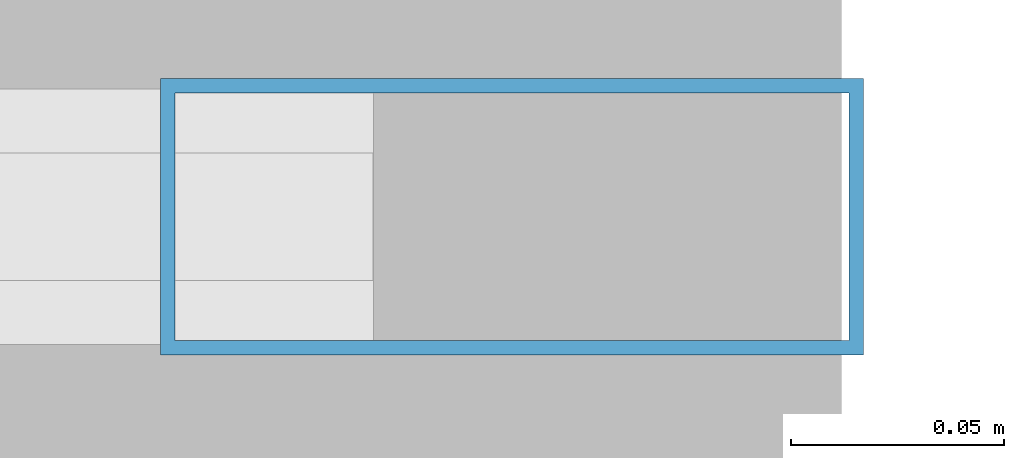
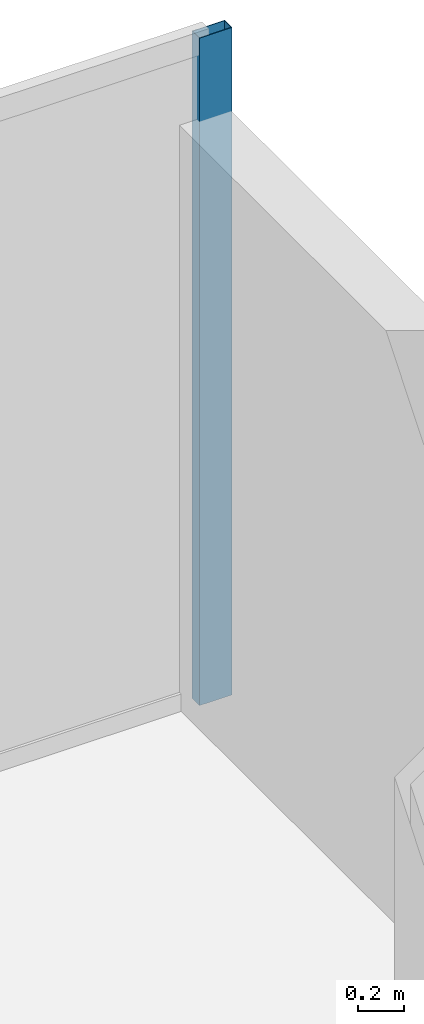
# One storey, part 23 of 31: 1 member, 1 element without a shape of its own.
"""IFC4 building model written with IfcOpenShell, lengths in metres."""

from ifc_helpers import new_model, si_unit, direction, frame, origin, origin_2d, place, context, subcontext, project, spatial, hollow_rectangle, extrude, source, transform, mapped, material, layer, layer_set, material_profile, profile_set, type_object, type_shapes, element, aggregate, save


model = new_model("IFC4")

# Units and contexts
model_context = context("Model", 3, precision=1e-05, world=origin(), true_north=direction((0.0, 1.0)))
body_context = subcontext(model_context, "Body", "Model", "MODEL_VIEW")
ifc_project = project(units=[si_unit("LENGTHUNIT", "METRE"), si_unit("AREAUNIT", "SQUARE_METRE"), si_unit("VOLUMEUNIT", "CUBIC_METRE"), si_unit("PLANEANGLEUNIT", "RADIAN"), si_unit("MASSUNIT", "GRAM", prefix="KILO")], contexts=[model_context])

# Site, building, storey
site_placement = place(None, origin())
site = spatial("IfcSite", under=ifc_project, at=site_placement, CompositionType="ELEMENT")
building_placement = place(site_placement, origin())
building = spatial("IfcBuilding", under=site, at=building_placement, Name="Varnel Quay Broadcast Tower", CompositionType="ELEMENT")
storey_placement = place(building_placement, frame((0.0, 0.0, 153.39990234375)))
storey = spatial("IfcBuildingStorey", under=building, at=storey_placement, Name="L37", CompositionType="ELEMENT", Elevation=153.39990234375)

# Curtain wall, member
ifc_material = material(Name="Anodised Bronze Aluminium 6063-T6", Category="aluminium")
ifc_layer = layer(ifc_material, 0.18994140625, Name="Anodised Bronze Aluminium 6063-T6")
ifc_layer_set = layer_set([ifc_layer], Name="Anodised Bronze Aluminium 6063-T6")
curtain_wall_type = type_object("IfcCurtainWallType", Name="CW_UpperTower", PredefinedType="NOTDEFINED", material=ifc_layer_set)
curtain_wall_placement = place(storey_placement, origin())
curtain_wall = element("IfcCurtainWall", 1, at=curtain_wall_placement, inside=storey, type_object=curtain_wall_type, Name="L37 NE Wing Curtain Wall", PredefinedType="NOTDEFINED")
ifc_material_profile = material_profile(ifc_material, hollow_rectangle(XDim=0.06494140625, YDim=0.1650390625, WallThickness=0.00341796875, at=origin_2d()), Name="ALU65X165X3.5")
ifc_profile_set = profile_set([ifc_material_profile], Name="Anodised Bronze Aluminium 6063-T6")
member_type = type_object("IfcMemberType", Name="Mull_CWS-03", PredefinedType="MULLION", material=ifc_profile_set)
shared_shape = source(origin(), body_context, "Body", "SweptSolid", [
    extrude(hollow_rectangle(XDim=0.06494140625, YDim=0.1650390625, WallThickness=0.00341796875, at=origin_2d()), origin(), (0.0, 0.0, 1.0), 3.550048828125),
])
type_shapes(member_type, [shared_shape])
member_placement = place(storey_placement, frame((57.447509765625, 46.64990234375, 0.0), z_axis=(0.0, 0.0, 1.0), x_axis=(0.0, 1.0, 0.0)))
member = element("IfcMember", 2, at=member_placement, type_object=member_type, Name="CWS-03 mullion 2", PredefinedType="MULLION", context=body_context, shape_type="MappedRepresentation", body=[
    mapped(shared_shape, transform((0.0, 0.0, 0.0), x_axis=(1.0, 0.0, 0.0), y_axis=(0.0, 1.0, 0.0), z_axis=(0.0, 0.0, 1.0), scale=1.0)),
])
aggregate(curtain_wall, [member])

save(model, "model.ifc")
